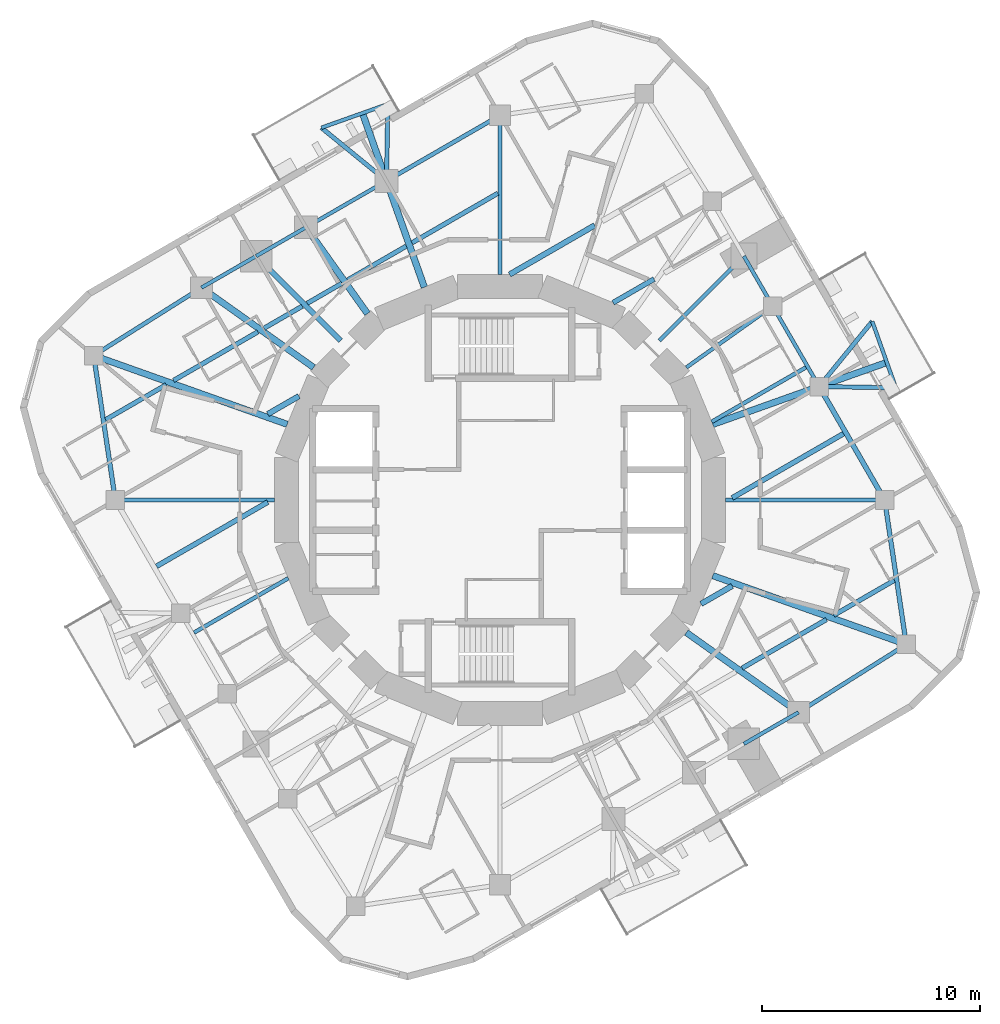
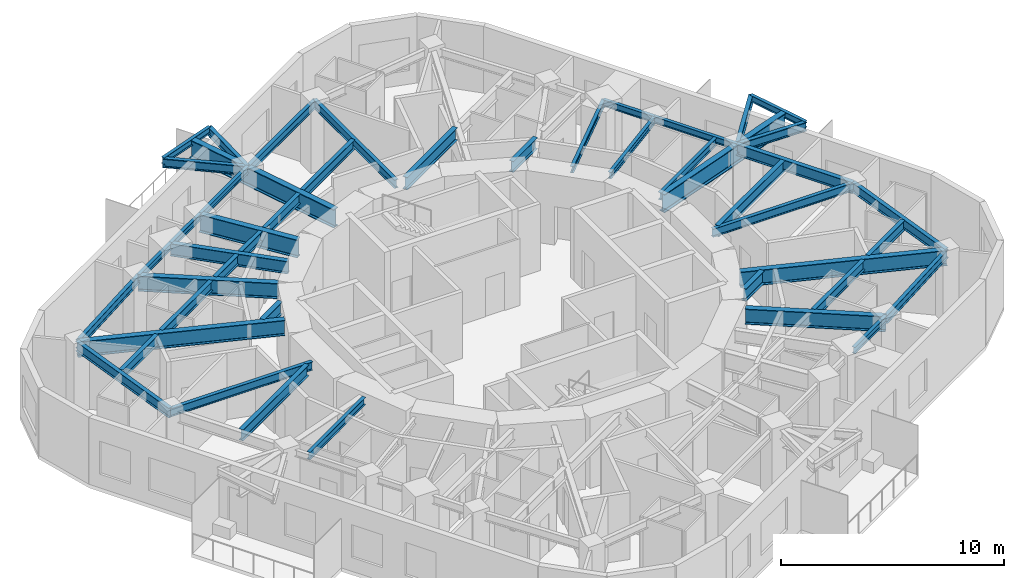
# One storey, part 2 of 11: 47 beams.
"""IFC4 building model written with IfcOpenShell, lengths in metres."""

from ifc_helpers import new_model, si_unit, direction, frame, origin, origin_2d, place, context, subcontext, project, spatial, i_section, extrude, material, material_profile, profile_set, type_object, element, save


model = new_model("IFC4")

# Units and contexts
model_context = context("Model", 3, precision=1e-05, world=origin(), true_north=direction((0.0, 1.0)))
body_context = subcontext(model_context, "Body", "Model", "MODEL_VIEW")
ifc_project = project(units=[si_unit("LENGTHUNIT", "METRE"), si_unit("AREAUNIT", "SQUARE_METRE"), si_unit("VOLUMEUNIT", "CUBIC_METRE"), si_unit("PLANEANGLEUNIT", "RADIAN"), si_unit("MASSUNIT", "GRAM", prefix="KILO")], contexts=[model_context])

# Site, building, storey
site_placement = place(None, origin())
site = spatial("IfcSite", under=ifc_project, at=site_placement, CompositionType="ELEMENT")
building_placement = place(site_placement, origin())
building = spatial("IfcBuilding", under=site, at=building_placement, Name="Nakasero Lantern House", CompositionType="ELEMENT")
storey_placement = place(building_placement, frame((0.0, 0.0, 242.35009765625)))
storey = spatial("IfcBuildingStorey", under=building, at=storey_placement, Name="L59", CompositionType="ELEMENT", Elevation=242.35009765625)

# Beams
ifc_material_1 = material(Name="Steel S355", Category="steel")
ifc_material_profile_1 = material_profile(ifc_material_1, i_section(OverallWidth=0.199462890625, OverallDepth=0.491943359375, WebThickness=0.01806640625, FlangeThickness=0.031982421875, FilletRadius=0.01025390625, at=origin_2d()), Name="UB 457x191x161")
ifc_profile_set_1 = profile_set([ifc_material_profile_1], Name="Steel S355")
beam_type_1 = type_object("IfcBeamType", Name="Balcony splay beam UB 457x191x161", PredefinedType="BEAM", material=ifc_profile_set_1)
beam_1_placement = place(storey_placement, frame((14.657958984375, 5.211669921875, 3.40380859375), z_axis=(0.632127727159, 0.774864205236, 0.0), x_axis=(-0.774864205236, 0.632127727159, 0.0)))
element("IfcBeam", 1, at=beam_1_placement, inside=storey, type_object=beam_type_1, Name="Balcony splay beam L60 B6-C04A", PredefinedType="BEAM", context=body_context, shape_type="SweptSolid", body=[
    extrude(i_section(OverallWidth=0.199462890625, OverallDepth=0.491943359375, WebThickness=0.01806640625, FlangeThickness=0.031982421875, FilletRadius=0.01025390625, at=origin_2d()), origin(), (0.0, 0.0, 1.0), 3.858642578125),
])
beam_2_placement = place(storey_placement, frame((14.657958984375, 5.211669921875, 3.40380859375), z_axis=(0.99985827803, -0.016835196893, 0.0), x_axis=(0.016835196893, 0.99985827803, 0.0)))
element("IfcBeam", 2, at=beam_2_placement, inside=storey, type_object=beam_type_1, Name="Balcony splay beam L60 B6-C04B", PredefinedType="BEAM", context=body_context, shape_type="SweptSolid", body=[
    extrude(i_section(OverallWidth=0.199462890625, OverallDepth=0.491943359375, WebThickness=0.01806640625, FlangeThickness=0.031982421875, FilletRadius=0.01025390625, at=origin_2d()), origin(), (0.0, 0.0, 1.0), 3.52392578125),
])
beam_3_placement = place(storey_placement, frame((-5.211669921875, 14.657958984375, 3.40380859375), z_axis=(-0.774864205236, 0.632127727159, 0.0), x_axis=(-0.632127727159, -0.774864205236, 0.0)))
element("IfcBeam", 3, at=beam_3_placement, inside=storey, type_object=beam_type_1, Name="Balcony splay beam L60 B6-C10A", PredefinedType="BEAM", context=body_context, shape_type="SweptSolid", body=[
    extrude(i_section(OverallWidth=0.199462890625, OverallDepth=0.491943359375, WebThickness=0.01806640625, FlangeThickness=0.031982421875, FilletRadius=0.01025390625, at=origin_2d()), origin(), (0.0, 0.0, 1.0), 3.858642578125),
])
beam_4_placement = place(storey_placement, frame((-5.211669921875, 14.657958984375, 3.40380859375), z_axis=(0.016835196893, 0.99985827803, 0.0), x_axis=(-0.99985827803, 0.016835196893, 0.0)))
element("IfcBeam", 4, at=beam_4_placement, inside=storey, type_object=beam_type_1, Name="Balcony splay beam L60 B6-C10B", PredefinedType="BEAM", context=body_context, shape_type="SweptSolid", body=[
    extrude(i_section(OverallWidth=0.199462890625, OverallDepth=0.491943359375, WebThickness=0.01806640625, FlangeThickness=0.031982421875, FilletRadius=0.01025390625, at=origin_2d()), origin(), (0.0, 0.0, 1.0), 3.52392578125),
])
ifc_material_2 = material(Name="Steel S355", Category="steel")
ifc_material_profile_2 = material_profile(ifc_material_2, i_section(OverallWidth=0.17138671875, OverallDepth=0.35498046875, WebThickness=0.00732421875, FlangeThickness=0.011474609375, FilletRadius=0.01025390625, at=origin_2d()), Name="UB 356x171x51")
ifc_profile_set_2 = profile_set([ifc_material_profile_2], Name="Steel S355")
beam_type_2 = type_object("IfcBeamType", Name="Balcony tie beam UB 356x171x51", PredefinedType="BEAM", material=ifc_profile_set_2)
for number, where, z_axis, x_axis, name in (
    (5, (17.09716796875, 8.20166015625, 3.472412109375), (0.335017108852, -0.942212044487, 0.0), (0.942212044487, 0.335017108852, 0.0), "Balcony tie beam L60 B6-C04"),
    (6, (-8.20166015625, 17.09716796875, 3.472412109375), (0.942212044487, 0.335017108852, 0.0), (-0.335017108852, 0.942212044487, 0.0), "Balcony tie beam L60 B6-C10"),
):
    element("IfcBeam", number, at=place(storey_placement, frame(where, z_axis=z_axis, x_axis=x_axis)), inside=storey, type_object=beam_type_2, Name=name, PredefinedType="BEAM", context=body_context, shape_type="SweptSolid", body=[
        extrude(i_section(OverallWidth=0.17138671875, OverallDepth=0.35498046875, WebThickness=0.00732421875, FlangeThickness=0.011474609375, FilletRadius=0.01025390625, at=origin_2d()), origin(), (0.0, 0.0, 1.0), 3.236328125),
    ])
ifc_material_3 = material(Name="Steel S355", Category="steel")
ifc_material_profile_3 = material_profile(ifc_material_3, i_section(OverallWidth=0.177978515625, OverallDepth=0.406494140625, WebThickness=0.0078125, FlangeThickness=0.0126953125, FilletRadius=0.01025390625, at=origin_2d()), Name="UB 406x178x60")
ifc_profile_set_3 = profile_set([ifc_material_profile_3], Name="Steel S355")
beam_type_3 = type_object("IfcBeamType", Name="Infill beam UB 406x178x60", PredefinedType="JOIST", material=ifc_profile_set_3)
for number, where, z_axis, x_axis, name in (
    (7, (9.72314453125, 3.5927734375, 3.44677734375), (0.866018808352, 0.500011423449, 0.0), (-0.500011423449, 0.866018808352, 0.0), "Infill beam L60 06.1"),
    (8, (-14.051025390625, -6.091552734375, 3.44677734375), (0.866018808352, 0.500011423449, 0.0), (-0.500011423449, 0.866018808352, 0.0), "Infill beam L60 07.1"),
):
    element("IfcBeam", number, at=place(storey_placement, frame(where, z_axis=z_axis, x_axis=x_axis)), inside=storey, type_object=beam_type_3, Name=name, PredefinedType="JOIST", context=body_context, shape_type="SweptSolid", body=[
        extrude(i_section(OverallWidth=0.177978515625, OverallDepth=0.406494140625, WebThickness=0.0078125, FlangeThickness=0.0126953125, FilletRadius=0.01025390625, at=origin_2d()), origin(), (0.0, 0.0, 1.0), 4.99755859375),
    ])
ifc_material_4 = material(Name="Steel S355", Category="steel")
ifc_material_profile_4 = material_profile(ifc_material_4, i_section(OverallWidth=0.2099609375, OverallDepth=0.53662109375, WebThickness=0.0107421875, FlangeThickness=0.017333984375, FilletRadius=0.0126953125, at=origin_2d()), Name="UB 533x210x101")
ifc_profile_set_4 = profile_set([ifc_material_profile_4], Name="Steel S355")
beam_type_4 = type_object("IfcBeamType", Name="Infill beam UB 533x210x101", PredefinedType="JOIST", material=ifc_profile_set_4)
beam_5_placement = place(storey_placement, frame((11.117431640625, -7.726318359375, 3.381591796875), z_axis=(0.866033989219, 0.499985129296, 0.0), x_axis=(-0.499985129296, 0.866033989219, 0.0)))
element("IfcBeam", 9, at=beam_5_placement, inside=storey, type_object=beam_type_4, Name="Infill beam L60 03.5", PredefinedType="JOIST", context=body_context, shape_type="SweptSolid", body=[
    extrude(i_section(OverallWidth=0.2099609375, OverallDepth=0.53662109375, WebThickness=0.0107421875, FlangeThickness=0.017333984375, FilletRadius=0.0126953125, at=origin_2d()), origin(), (0.0, 0.0, 1.0), 4.478759765625),
])
for number, where, z_axis, x_axis, name in (
    (10, (15.32861328125, -5.294921875, 3.381591796875), (0.866033858845, 0.49998535512, 0.0), (-0.49998535512, 0.866033858845, 0.0), "Infill beam L60 03.6"),
    (11, (-18.11328125, 3.687255859375, 3.381591796875), (0.866033858845, 0.49998535512, 0.0), (-0.49998535512, 0.866033858845, 0.0), "Infill beam L60 10.1"),
):
    element("IfcBeam", number, at=place(storey_placement, frame(where, z_axis=z_axis, x_axis=x_axis)), inside=storey, type_object=beam_type_4, Name=name, PredefinedType="JOIST", context=body_context, shape_type="SweptSolid", body=[
        extrude(i_section(OverallWidth=0.2099609375, OverallDepth=0.53662109375, WebThickness=0.0107421875, FlangeThickness=0.017333984375, FilletRadius=0.0126953125, at=origin_2d()), origin(), (0.0, 0.0, 1.0), 3.21533203125),
    ])
beam_6_placement = place(storey_placement, frame((-14.99609375, 5.487060546875, 3.381591796875), z_axis=(0.866033989219, 0.499985129296, 0.0), x_axis=(-0.499985129296, 0.866033989219, 0.0)))
element("IfcBeam", 12, at=beam_6_placement, inside=storey, type_object=beam_type_4, Name="Infill beam L60 10.2", PredefinedType="JOIST", context=body_context, shape_type="SweptSolid", body=[
    extrude(i_section(OverallWidth=0.2099609375, OverallDepth=0.53662109375, WebThickness=0.0107421875, FlangeThickness=0.017333984375, FilletRadius=0.0126953125, at=origin_2d()), origin(), (0.0, 0.0, 1.0), 4.478759765625),
])
beam_7_placement = place(storey_placement, frame((-10.839111328125, 7.88720703125, 3.381591796875), z_axis=(0.866073420066, 0.499916824138, 0.0), x_axis=(-0.499916824138, 0.866073420066, 0.0)))
element("IfcBeam", 13, at=beam_7_placement, inside=storey, type_object=beam_type_4, Name="Infill beam L60 10.3", PredefinedType="JOIST", context=body_context, shape_type="SweptSolid", body=[
    extrude(i_section(OverallWidth=0.2099609375, OverallDepth=0.53662109375, WebThickness=0.0107421875, FlangeThickness=0.017333984375, FilletRadius=0.0126953125, at=origin_2d()), origin(), (0.0, 0.0, 1.0), 2.029541015625),
])
beam_8_placement = place(storey_placement, frame((-8.85400390625, 9.033203125, 3.381591796875), z_axis=(0.866028611999, 0.499994443168, 0.0), x_axis=(-0.499994443168, 0.866028611999, 0.0)))
element("IfcBeam", 14, at=beam_8_placement, inside=storey, type_object=beam_type_4, Name="Infill beam L60 10.4", PredefinedType="JOIST", context=body_context, shape_type="SweptSolid", body=[
    extrude(i_section(OverallWidth=0.2099609375, OverallDepth=0.53662109375, WebThickness=0.0107421875, FlangeThickness=0.017333984375, FilletRadius=0.0126953125, at=origin_2d()), origin(), (0.0, 0.0, 1.0), 1.8388671875),
])
beam_9_placement = place(storey_placement, frame((-7.00048828125, 10.103271484375, 3.381591796875), z_axis=(0.866018346476, 0.500012223418, 0.0), x_axis=(-0.500012223418, 0.866018346476, 0.0)))
element("IfcBeam", 15, at=beam_9_placement, inside=storey, type_object=beam_type_4, Name="Infill beam L60 10.5", PredefinedType="JOIST", context=body_context, shape_type="SweptSolid", body=[
    extrude(i_section(OverallWidth=0.2099609375, OverallDepth=0.53662109375, WebThickness=0.0107421875, FlangeThickness=0.017333984375, FilletRadius=0.0126953125, at=origin_2d()), origin(), (0.0, 0.0, 1.0), 3.11181640625),
])
beam_10_placement = place(storey_placement, frame((-4.039794921875, 11.812744140625, 3.381591796875), z_axis=(0.866027576455, 0.499996236806, 0.0), x_axis=(-0.499996236806, 0.866027576455, 0.0)))
element("IfcBeam", 16, at=beam_10_placement, inside=storey, type_object=beam_type_4, Name="Infill beam L60 10.6", PredefinedType="JOIST", context=body_context, shape_type="SweptSolid", body=[
    extrude(i_section(OverallWidth=0.2099609375, OverallDepth=0.53662109375, WebThickness=0.0107421875, FlangeThickness=0.017333984375, FilletRadius=0.0126953125, at=origin_2d()), origin(), (0.0, 0.0, 1.0), 4.55419921875),
])
ifc_material_5 = material(Name="Steel S355", Category="steel")
ifc_material_profile_5 = material_profile(ifc_material_5, i_section(OverallWidth=0.22900390625, OverallDepth=0.6123046875, WebThickness=0.011962890625, FlangeThickness=0.01953125, FilletRadius=0.0126953125, at=origin_2d()), Name="UB 610x229x125")
ifc_profile_set_5 = profile_set([ifc_material_profile_5], Name="Steel S355")
beam_type_5 = type_object("IfcBeamType", Name="Infill beam UB 610x229x125", PredefinedType="JOIST", material=ifc_profile_set_5)
for number, where, z_axis, x_axis, name in (
    (17, (10.66455078125, 0.094970703125, 3.34375), (0.866025091885, 0.500000540226, 0.0), (-0.500000540226, 0.866025091885, 0.0), "Infill beam L60 05.3"),
    (18, (-15.776123046875, -3.046142578125, 3.34375), (0.866025091885, 0.500000540226, 0.0), (-0.500000540226, 0.866025091885, 0.0), "Infill beam L60 08.1"),
):
    element("IfcBeam", number, at=place(storey_placement, frame(where, z_axis=z_axis, x_axis=x_axis)), inside=storey, type_object=beam_type_5, Name=name, PredefinedType="JOIST", context=body_context, shape_type="SweptSolid", body=[
        extrude(i_section(OverallWidth=0.22900390625, OverallDepth=0.6123046875, WebThickness=0.011962890625, FlangeThickness=0.01953125, FilletRadius=0.0126953125, at=origin_2d()), origin(), (0.0, 0.0, 1.0), 5.90234375),
    ])
beam_11_placement = place(storey_placement, frame((5.19287109375, 9.060302734375, 3.34375), z_axis=(0.866043427695, 0.499968780372, 0.0), x_axis=(-0.499968780372, 0.866043427695, 0.0)))
element("IfcBeam", 19, at=beam_11_placement, inside=storey, type_object=beam_type_5, Name="Infill beam L60 08.2", PredefinedType="JOIST", context=body_context, shape_type="SweptSolid", body=[
    extrude(i_section(OverallWidth=0.22900390625, OverallDepth=0.6123046875, WebThickness=0.011962890625, FlangeThickness=0.01953125, FilletRadius=0.0126953125, at=origin_2d()), origin(), (0.0, 0.0, 1.0), 2.173583984375),
])
ifc_material_6 = material(Name="Steel S355", Category="steel")
ifc_material_profile_6 = material_profile(ifc_material_6, i_section(OverallWidth=0.253662109375, OverallDepth=0.68359375, WebThickness=0.012451171875, FlangeThickness=0.01904296875, FilletRadius=0.01513671875, at=origin_2d()), Name="UB 686x254x140")
ifc_profile_set_6 = profile_set([ifc_material_profile_6], Name="Steel S355")
beam_type_6 = type_object("IfcBeamType", Name="Infill beam UB 686x254x140", PredefinedType="JOIST", material=ifc_profile_set_6)
for number, where, z_axis, x_axis, name in (
    (20, (9.234619140625, -4.77197265625, 3.30810546875), (0.866050114754, 0.499957196903, 0.0), (-0.499957196903, 0.866050114754, 0.0), "Infill beam L60 04.3"),
    (21, (-10.6640625, 3.94677734375, 3.30810546875), (0.866050114754, 0.499957196903, 0.0), (-0.499957196903, 0.866050114754, 0.0), "Infill beam L60 09.1"),
):
    element("IfcBeam", number, at=place(storey_placement, frame(where, z_axis=z_axis, x_axis=x_axis)), inside=storey, type_object=beam_type_6, Name=name, PredefinedType="JOIST", context=body_context, shape_type="SweptSolid", body=[
        extrude(i_section(OverallWidth=0.253662109375, OverallDepth=0.68359375, WebThickness=0.012451171875, FlangeThickness=0.01904296875, FilletRadius=0.01513671875, at=origin_2d()), origin(), (0.0, 0.0, 1.0), 1.650634765625),
    ])
beam_12_placement = place(storey_placement, frame((0.4404296875, 10.35791015625, 3.30810546875), z_axis=(0.86603787505, 0.499978398512, 0.0), x_axis=(-0.499978398512, 0.86603787505, 0.0)))
element("IfcBeam", 22, at=beam_12_placement, inside=storey, type_object=beam_type_6, Name="Infill beam L60 09.2", PredefinedType="JOIST", context=body_context, shape_type="SweptSolid", body=[
    extrude(i_section(OverallWidth=0.253662109375, OverallDepth=0.68359375, WebThickness=0.012451171875, FlangeThickness=0.01904296875, FilletRadius=0.01513671875, at=origin_2d()), origin(), (0.0, 0.0, 1.0), 4.513916015625),
])
ifc_material_7 = material(Name="Steel S355", Category="steel")
ifc_material_profile_7 = material_profile(ifc_material_7, i_section(OverallWidth=0.300048828125, OverallDepth=0.97998046875, WebThickness=0.0166015625, FlangeThickness=0.02587890625, FilletRadius=0.030029296875, at=origin_2d()), Name="UB 1016x305x249")
ifc_profile_set_7 = profile_set([ifc_material_profile_7], Name="Steel S355")
beam_type_7 = type_object("IfcBeamType", Name="Primary beam UB 1016x305x249, span to 6 m", PredefinedType="BEAM", material=ifc_profile_set_7)
beam_13_placement = place(storey_placement, frame((-8.906494140625, 12.524658203125, 3.159912109375), z_axis=(0.579513415446, -0.814962699342, 0.0), x_axis=(0.814962699342, 0.579513415446, 0.0)))
element("IfcBeam", 23, at=beam_13_placement, inside=storey, type_object=beam_type_7, Name="Primary beam L60 B6-C11", PredefinedType="BEAM", context=body_context, shape_type="SweptSolid", body=[
    extrude(i_section(OverallWidth=0.300048828125, OverallDepth=0.97998046875, WebThickness=0.0166015625, FlangeThickness=0.02587890625, FilletRadius=0.030029296875, at=origin_2d()), origin(), (0.0, 0.0, 1.0), 4.8642578125),
])
ifc_material_8 = material(Name="Steel S355", Category="steel")
ifc_material_profile_8 = material_profile(ifc_material_8, i_section(OverallWidth=0.302001953125, OverallDepth=1.008056640625, WebThickness=0.02099609375, FlangeThickness=0.0400390625, FilletRadius=0.030029296875, at=origin_2d()), Name="UB 1016x305x349")
ifc_profile_set_8 = profile_set([ifc_material_profile_8], Name="Steel S355")
beam_type_8 = type_object("IfcBeamType", Name="Primary beam UB 1016x305x349, span to 6 m", PredefinedType="BEAM", material=ifc_profile_set_8)
for number, where, z_axis, x_axis, name in (
    (24, (17.767333984375, 6.317138671875, 3.145751953125), (-0.94222457875, -0.33498185503, 0.0), (0.33498185503, -0.94222457875, 0.0), "Primary beam L60 B6-C04"),
    (25, (-6.317138671875, 17.767333984375, 3.145751953125), (0.33498185503, -0.94222457875, 0.0), (0.94222457875, 0.33498185503, 0.0), "Primary beam L60 B6-C10"),
):
    element("IfcBeam", number, at=place(storey_placement, frame(where, z_axis=z_axis, x_axis=x_axis)), inside=storey, type_object=beam_type_8, Name=name, PredefinedType="BEAM", context=body_context, shape_type="SweptSolid", body=[
        extrude(i_section(OverallWidth=0.302001953125, OverallDepth=1.008056640625, WebThickness=0.02099609375, FlangeThickness=0.0400390625, FilletRadius=0.030029296875, at=origin_2d()), origin(), (0.0, 0.0, 1.0), 8.485595703125),
    ])
ifc_material_9 = material(Name="Steel S355", Category="steel")
ifc_material_profile_9 = material_profile(ifc_material_9, i_section(OverallWidth=0.17138671875, OverallDepth=0.35498046875, WebThickness=0.00732421875, FlangeThickness=0.011474609375, FilletRadius=0.01025390625, at=origin_2d()), Name="UB 356x171x51")
ifc_profile_set_9 = profile_set([ifc_material_profile_9], Name="Steel S355")
beam_type_9 = type_object("IfcBeamType", Name="Primary beam UB 356x171x51, span to 6 m", PredefinedType="BEAM", material=ifc_profile_set_9)
beam_14_placement = place(storey_placement, frame((12.524658203125, 8.906494140625, 3.472412109375), z_axis=(-0.814962699342, -0.579513415446, 0.0), x_axis=(0.579513415446, -0.814962699342, 0.0)))
element("IfcBeam", 26, at=beam_14_placement, inside=storey, type_object=beam_type_9, Name="Primary beam L60 B6-C05", PredefinedType="BEAM", context=body_context, shape_type="SweptSolid", body=[
    extrude(i_section(OverallWidth=0.17138671875, OverallDepth=0.35498046875, WebThickness=0.00732421875, FlangeThickness=0.011474609375, FilletRadius=0.01025390625, at=origin_2d()), origin(), (0.0, 0.0, 1.0), 4.8642578125),
])
beam_15_placement = place(storey_placement, frame((11.200439453125, 11.200439453125, 3.472412109375), z_axis=(-0.707106781187, -0.707106781187, 0.0), x_axis=(0.707106781187, -0.707106781187, 0.0)))
element("IfcBeam", 27, at=beam_15_placement, inside=storey, type_object=beam_type_9, Name="Primary beam L60 B6-C06", PredefinedType="BEAM", context=body_context, shape_type="SweptSolid", body=[
    extrude(i_section(OverallWidth=0.17138671875, OverallDepth=0.35498046875, WebThickness=0.00732421875, FlangeThickness=0.011474609375, FilletRadius=0.01025390625, at=origin_2d()), origin(), (0.0, 0.0, 1.0), 5.481689453125),
])
ifc_material_10 = material(Name="Steel S355", Category="steel")
ifc_material_profile_10 = material_profile(ifc_material_10, i_section(OverallWidth=0.18994140625, OverallDepth=0.453369140625, WebThickness=0.008544921875, FlangeThickness=0.0126953125, FilletRadius=0.01025390625, at=origin_2d()), Name="UB 457x191x67")
ifc_profile_set_10 = profile_set([ifc_material_profile_10], Name="Steel S355")
beam_type_10 = type_object("IfcBeamType", Name="Primary beam UB 457x191x67, span 6 to 9 m", PredefinedType="BEAM", material=ifc_profile_set_10)
for number, where, z_axis, x_axis, name in (
    (28, (17.6669921875, 0.0, 3.423095703125), (-1.0, 0.0, 0.0), (0.0, -1.0, 0.0), "Primary beam L60 B6-C03"),
    (29, (-17.6669921875, 0.0, 3.423095703125), (1.0, 0.0, 0.0), (0.0, 1.0, 0.0), "Primary beam L60 B6-C15"),
):
    element("IfcBeam", number, at=place(storey_placement, frame(where, z_axis=z_axis, x_axis=x_axis)), inside=storey, type_object=beam_type_10, Name=name, PredefinedType="BEAM", context=body_context, shape_type="SweptSolid", body=[
        extrude(i_section(OverallWidth=0.18994140625, OverallDepth=0.453369140625, WebThickness=0.008544921875, FlangeThickness=0.0126953125, FilletRadius=0.01025390625, at=origin_2d()), origin(), (0.0, 0.0, 1.0), 7.30908203125),
    ])
ifc_material_11 = material(Name="Steel S355", Category="steel")
ifc_material_profile_11 = material_profile(ifc_material_11, i_section(OverallWidth=0.19140625, OverallDepth=0.4599609375, WebThickness=0.010009765625, FlangeThickness=0.01611328125, FilletRadius=0.01025390625, at=origin_2d()), Name="UB 457x191x82")
ifc_profile_set_11 = profile_set([ifc_material_profile_11], Name="Steel S355")
beam_type_11 = type_object("IfcBeamType", Name="Primary beam UB 457x191x82, span 6 to 9 m", PredefinedType="BEAM", material=ifc_profile_set_11)
beam_16_placement = place(storey_placement, frame((0.0, 17.6669921875, 3.419921875), z_axis=(0.0, -1.0, 0.0), x_axis=(1.0, 0.0, 0.0)))
element("IfcBeam", 30, at=beam_16_placement, inside=storey, type_object=beam_type_11, Name="Primary beam L60 B6-C09", PredefinedType="BEAM", context=body_context, shape_type="SweptSolid", body=[
    extrude(i_section(OverallWidth=0.19140625, OverallDepth=0.4599609375, WebThickness=0.010009765625, FlangeThickness=0.01611328125, FilletRadius=0.01025390625, at=origin_2d()), origin(), (0.0, 0.0, 1.0), 7.30908203125),
])
ifc_material_12 = material(Name="Steel S355", Category="steel")
ifc_material_profile_12 = material_profile(ifc_material_12, i_section(OverallWidth=0.253662109375, OverallDepth=0.68359375, WebThickness=0.012451171875, FlangeThickness=0.01904296875, FilletRadius=0.01513671875, at=origin_2d()), Name="UB 686x254x140")
ifc_profile_set_12 = profile_set([ifc_material_profile_12], Name="Steel S355")
beam_type_12 = type_object("IfcBeamType", Name="Primary beam UB 686x254x140, span to 6 m", PredefinedType="BEAM", material=ifc_profile_set_12)
beam_17_placement = place(storey_placement, frame((-11.200439453125, 11.200439453125, 3.30810546875), z_axis=(0.707106781187, -0.707106781187, 0.0), x_axis=(0.707106781187, 0.707106781187, 0.0)))
element("IfcBeam", 31, at=beam_17_placement, inside=storey, type_object=beam_type_12, Name="Primary beam L60 B6-C12", PredefinedType="BEAM", context=body_context, shape_type="SweptSolid", body=[
    extrude(i_section(OverallWidth=0.253662109375, OverallDepth=0.68359375, WebThickness=0.012451171875, FlangeThickness=0.01904296875, FilletRadius=0.01513671875, at=origin_2d()), origin(), (0.0, 0.0, 1.0), 5.481689453125),
])
ifc_material_13 = material(Name="Steel S355", Category="steel")
ifc_material_profile_13 = material_profile(ifc_material_13, i_section(OverallWidth=0.29248046875, OverallDepth=0.8408203125, WebThickness=0.0146484375, FlangeThickness=0.02685546875, FilletRadius=0.017822265625, at=origin_2d()), Name="UB 838x292x194")
ifc_profile_set_13 = profile_set([ifc_material_profile_13], Name="Steel S355")
beam_type_13 = type_object("IfcBeamType", Name="Primary beam UB 838x292x194, span 6 to 9 m", PredefinedType="BEAM", material=ifc_profile_set_13)
for number, where, z_axis, x_axis, name in (
    (32, (13.711669921875, -9.75048828125, 3.2294921875), (-0.814968702178, 0.579504973637, 0.0), (-0.579504973637, -0.814968702178, 0.0), "Primary beam L60 B6-C01"),
    (33, (-13.711669921875, 9.75048828125, 3.2294921875), (0.814968702178, -0.579504973637, 0.0), (0.579504973637, 0.814968702178, 0.0), "Primary beam L60 B6-C13"),
):
    element("IfcBeam", number, at=place(storey_placement, frame(where, z_axis=z_axis, x_axis=x_axis)), inside=storey, type_object=beam_type_13, Name=name, PredefinedType="BEAM", context=body_context, shape_type="SweptSolid", body=[
        extrude(i_section(OverallWidth=0.29248046875, OverallDepth=0.8408203125, WebThickness=0.0146484375, FlangeThickness=0.02685546875, FilletRadius=0.017822265625, at=origin_2d()), origin(), (0.0, 0.0, 1.0), 6.320556640625),
    ])
ifc_material_14 = material(Name="Steel S355", Category="steel")
ifc_material_profile_14 = material_profile(ifc_material_14, i_section(OverallWidth=0.29248046875, OverallDepth=0.8408203125, WebThickness=0.0146484375, FlangeThickness=0.02685546875, FilletRadius=0.017822265625, at=origin_2d()), Name="UB 838x292x194")
ifc_profile_set_14 = profile_set([ifc_material_profile_14], Name="Steel S355")
beam_type_14 = type_object("IfcBeamType", Name="Primary beam UB 838x292x194, span 9 to 12 m", PredefinedType="BEAM", material=ifc_profile_set_14)
for number, where, z_axis, x_axis, name in (
    (34, (18.661376953125, -6.63525390625, 3.2294921875), (-0.942215779364, 0.335006604588, 0.0), (-0.335006604588, -0.942215779364, 0.0), "Primary beam L60 B6-C02"),
    (35, (-18.661376953125, 6.63525390625, 3.2294921875), (0.942215779364, -0.335006604588, 0.0), (0.335006604588, 0.942215779364, 0.0), "Primary beam L60 B6-C14"),
):
    element("IfcBeam", number, at=place(storey_placement, frame(where, z_axis=z_axis, x_axis=x_axis)), inside=storey, type_object=beam_type_14, Name=name, PredefinedType="BEAM", context=body_context, shape_type="SweptSolid", body=[
        extrude(i_section(OverallWidth=0.29248046875, OverallDepth=0.8408203125, WebThickness=0.0146484375, FlangeThickness=0.02685546875, FilletRadius=0.017822265625, at=origin_2d()), origin(), (0.0, 0.0, 1.0), 9.4345703125),
    ])
ifc_material_15 = material(Name="Steel S355", Category="steel")
ifc_material_profile_15 = material_profile(ifc_material_15, i_section(OverallWidth=0.17138671875, OverallDepth=0.35498046875, WebThickness=0.00732421875, FlangeThickness=0.011474609375, FilletRadius=0.01025390625, at=origin_2d()), Name="UB 356x171x51")
ifc_profile_set_15 = profile_set([ifc_material_profile_15], Name="Steel S355")
beam_type_15 = type_object("IfcBeamType", Name="Ring beam UB 356x171x51", PredefinedType="BEAM", material=ifc_profile_set_15)
beam_18_placement = place(storey_placement, frame((14.657958984375, 5.211669921875, 3.472412109375), z_axis=(-0.500016352561, 0.866015962423, 0.0), x_axis=(-0.866015962423, -0.500016352561, 0.0)))
element("IfcBeam", 36, at=beam_18_placement, inside=storey, type_object=beam_type_15, Name="Ring beam L60 B6-C04", PredefinedType="BEAM", context=body_context, shape_type="SweptSolid", body=[
    extrude(i_section(OverallWidth=0.17138671875, OverallDepth=0.35498046875, WebThickness=0.00732421875, FlangeThickness=0.011474609375, FilletRadius=0.01025390625, at=origin_2d()), origin(), (0.0, 0.0, 1.0), 4.266357421875),
])
beam_19_placement = place(storey_placement, frame((12.524658203125, 8.906494140625, 3.472412109375), z_axis=(-0.499945861543, 0.866056658381, 0.0), x_axis=(-0.866056658381, -0.499945861543, 0.0)))
element("IfcBeam", 37, at=beam_19_placement, inside=storey, type_object=beam_type_15, Name="Ring beam L60 B6-C05", PredefinedType="BEAM", context=body_context, shape_type="SweptSolid", body=[
    extrude(i_section(OverallWidth=0.17138671875, OverallDepth=0.35498046875, WebThickness=0.00732421875, FlangeThickness=0.011474609375, FilletRadius=0.01025390625, at=origin_2d()), origin(), (0.0, 0.0, 1.0), 2.648681640625),
])
beam_20_placement = place(storey_placement, frame((-5.211669921875, 14.657958984375, 3.472412109375), z_axis=(-0.866015962423, -0.500016352561, 0.0), x_axis=(0.500016352561, -0.866015962423, 0.0)))
element("IfcBeam", 38, at=beam_20_placement, inside=storey, type_object=beam_type_15, Name="Ring beam L60 B6-C10", PredefinedType="BEAM", context=body_context, shape_type="SweptSolid", body=[
    extrude(i_section(OverallWidth=0.17138671875, OverallDepth=0.35498046875, WebThickness=0.00732421875, FlangeThickness=0.011474609375, FilletRadius=0.01025390625, at=origin_2d()), origin(), (0.0, 0.0, 1.0), 4.266357421875),
])
beam_21_placement = place(storey_placement, frame((-8.906494140625, 12.524658203125, 3.472412109375), z_axis=(-0.866056658381, -0.499945861543, 0.0), x_axis=(0.499945861543, -0.866056658381, 0.0)))
element("IfcBeam", 39, at=beam_21_placement, inside=storey, type_object=beam_type_15, Name="Ring beam L60 B6-C11", PredefinedType="BEAM", context=body_context, shape_type="SweptSolid", body=[
    extrude(i_section(OverallWidth=0.17138671875, OverallDepth=0.35498046875, WebThickness=0.00732421875, FlangeThickness=0.011474609375, FilletRadius=0.01025390625, at=origin_2d()), origin(), (0.0, 0.0, 1.0), 2.648681640625),
])
for number, where, z_axis, x_axis, name in (
    (40, (-11.200439453125, 11.200439453125, 3.472412109375), (-0.866011727401, -0.500023687443, 0.0), (0.500023687443, -0.866011727401, 0.0), "Ring beam L60 B6-C12"),
    (41, (11.200439453125, -11.200439453125, 3.472412109375), (0.866011727401, 0.500023687443, 0.0), (-0.500023687443, 0.866011727401, 0.0), "Ring beam L60 B6-C24"),
):
    element("IfcBeam", number, at=place(storey_placement, frame(where, z_axis=z_axis, x_axis=x_axis)), inside=storey, type_object=beam_type_15, Name=name, PredefinedType="BEAM", context=body_context, shape_type="SweptSolid", body=[
        extrude(i_section(OverallWidth=0.17138671875, OverallDepth=0.35498046875, WebThickness=0.00732421875, FlangeThickness=0.011474609375, FilletRadius=0.01025390625, at=origin_2d()), origin(), (0.0, 0.0, 1.0), 2.899658203125),
    ])
ifc_material_16 = material(Name="Steel S355", Category="steel")
ifc_material_profile_16 = material_profile(ifc_material_16, i_section(OverallWidth=0.18994140625, OverallDepth=0.453369140625, WebThickness=0.008544921875, FlangeThickness=0.0126953125, FilletRadius=0.01025390625, at=origin_2d()), Name="UB 457x191x67")
ifc_profile_set_16 = profile_set([ifc_material_profile_16], Name="Steel S355")
beam_type_16 = type_object("IfcBeamType", Name="Ring beam UB 457x191x67", PredefinedType="BEAM", material=ifc_profile_set_16)
beam_22_placement = place(storey_placement, frame((13.711669921875, -9.75048828125, 3.423095703125), z_axis=(0.846329027393, 0.532660471024, 0.0), x_axis=(-0.532660471024, 0.846329027393, 0.0)))
element("IfcBeam", 42, at=beam_22_placement, inside=storey, type_object=beam_type_16, Name="Ring beam L60 B6-C01", PredefinedType="BEAM", context=body_context, shape_type="SweptSolid", body=[
    extrude(i_section(OverallWidth=0.18994140625, OverallDepth=0.453369140625, WebThickness=0.008544921875, FlangeThickness=0.0126953125, FilletRadius=0.01025390625, at=origin_2d()), origin(), (0.0, 0.0, 1.0), 5.848388671875),
])
beam_23_placement = place(storey_placement, frame((0.0, 17.6669921875, 3.423095703125), z_axis=(-0.866020066889, -0.50000924366, 0.0), x_axis=(0.50000924366, -0.866020066889, 0.0)))
element("IfcBeam", 43, at=beam_23_placement, inside=storey, type_object=beam_type_16, Name="Ring beam L60 B6-C09", PredefinedType="BEAM", context=body_context, shape_type="SweptSolid", body=[
    extrude(i_section(OverallWidth=0.18994140625, OverallDepth=0.453369140625, WebThickness=0.008544921875, FlangeThickness=0.0126953125, FilletRadius=0.01025390625, at=origin_2d()), origin(), (0.0, 0.0, 1.0), 6.01806640625),
])
beam_24_placement = place(storey_placement, frame((-13.711669921875, 9.75048828125, 3.423095703125), z_axis=(-0.846329027393, -0.532660471024, 0.0), x_axis=(0.532660471024, -0.846329027393, 0.0)))
element("IfcBeam", 44, at=beam_24_placement, inside=storey, type_object=beam_type_16, Name="Ring beam L60 B6-C13", PredefinedType="BEAM", context=body_context, shape_type="SweptSolid", body=[
    extrude(i_section(OverallWidth=0.18994140625, OverallDepth=0.453369140625, WebThickness=0.008544921875, FlangeThickness=0.0126953125, FilletRadius=0.01025390625, at=origin_2d()), origin(), (0.0, 0.0, 1.0), 5.848388671875),
])
ifc_material_17 = material(Name="Steel S355", Category="steel")
ifc_material_profile_17 = material_profile(ifc_material_17, i_section(OverallWidth=0.2099609375, OverallDepth=0.53662109375, WebThickness=0.0107421875, FlangeThickness=0.017333984375, FilletRadius=0.0126953125, at=origin_2d()), Name="UB 533x210x101")
ifc_profile_set_17 = profile_set([ifc_material_profile_17], Name="Steel S355")
beam_type_17 = type_object("IfcBeamType", Name="Ring beam UB 533x210x101", PredefinedType="BEAM", material=ifc_profile_set_17)
for number, where, z_axis, x_axis, name in (
    (45, (18.661376953125, -6.63525390625, 3.381591796875), (-0.148208778253, 0.988956095107, 0.0), (-0.988956095107, -0.148208778253, 0.0), "Ring beam L60 B6-C02"),
    (46, (-18.661376953125, 6.63525390625, 3.381591796875), (0.148208778253, -0.988956095107, 0.0), (0.988956095107, 0.148208778253, 0.0), "Ring beam L60 B6-C14"),
):
    element("IfcBeam", number, at=place(storey_placement, frame(where, z_axis=z_axis, x_axis=x_axis)), inside=storey, type_object=beam_type_17, Name=name, PredefinedType="BEAM", context=body_context, shape_type="SweptSolid", body=[
        extrude(i_section(OverallWidth=0.2099609375, OverallDepth=0.53662109375, WebThickness=0.0107421875, FlangeThickness=0.017333984375, FilletRadius=0.0126953125, at=origin_2d()), origin(), (0.0, 0.0, 1.0), 6.70947265625),
    ])
ifc_material_18 = material(Name="Steel S355", Category="steel")
ifc_material_profile_18 = material_profile(ifc_material_18, i_section(OverallWidth=0.22900390625, OverallDepth=0.6123046875, WebThickness=0.011962890625, FlangeThickness=0.01953125, FilletRadius=0.0126953125, at=origin_2d()), Name="UB 610x229x125")
ifc_profile_set_18 = profile_set([ifc_material_profile_18], Name="Steel S355")
beam_type_18 = type_object("IfcBeamType", Name="Ring beam UB 610x229x125", PredefinedType="BEAM", material=ifc_profile_set_18)
beam_25_placement = place(storey_placement, frame((17.6669921875, 0.0, 3.34375), z_axis=(-0.50000924366, 0.866020066889, 0.0), x_axis=(-0.866020066889, -0.50000924366, 0.0)))
element("IfcBeam", 47, at=beam_25_placement, inside=storey, type_object=beam_type_18, Name="Ring beam L60 B6-C03", PredefinedType="BEAM", context=body_context, shape_type="SweptSolid", body=[
    extrude(i_section(OverallWidth=0.22900390625, OverallDepth=0.6123046875, WebThickness=0.011962890625, FlangeThickness=0.01953125, FilletRadius=0.0126953125, at=origin_2d()), origin(), (0.0, 0.0, 1.0), 6.01806640625),
])

save(model, "model.ifc")
